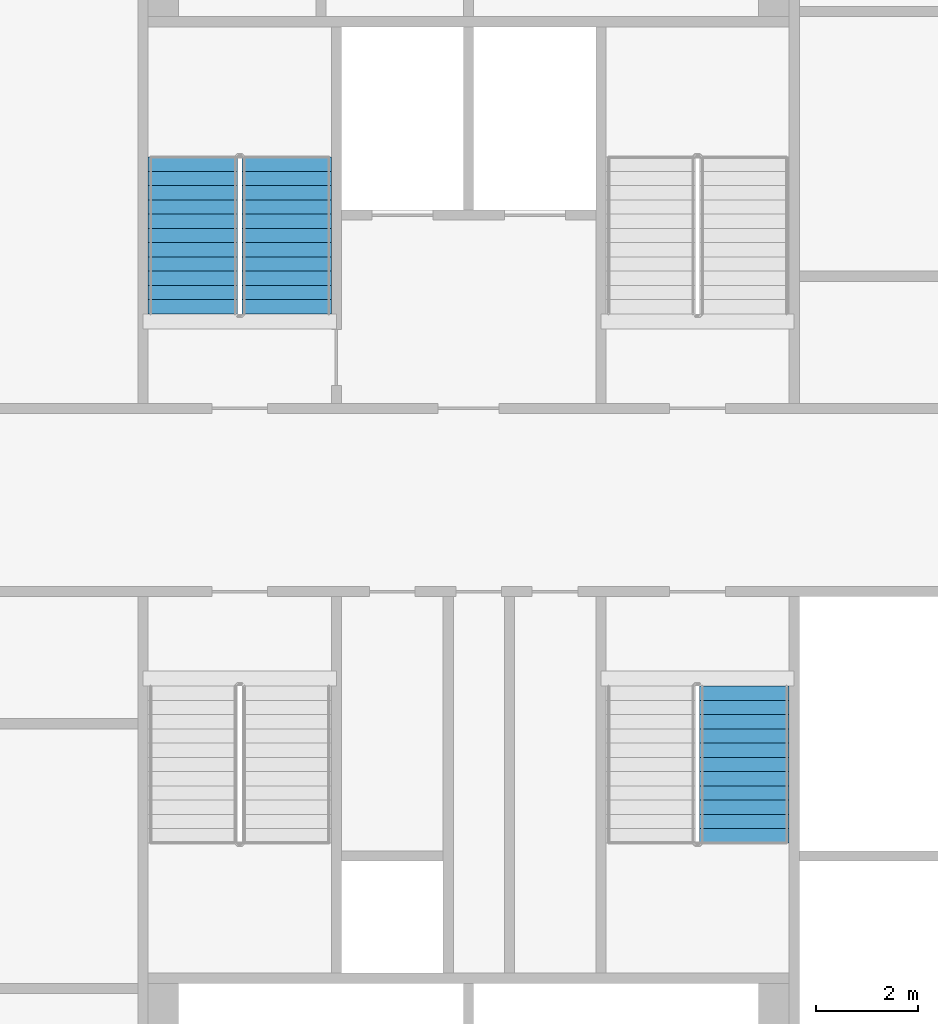
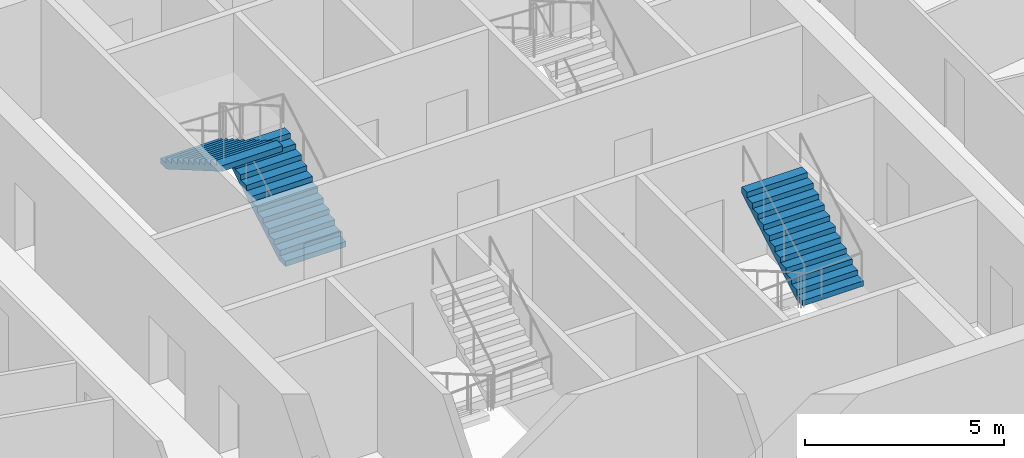
# One storey, part 9 of 15: 3 stair flights, 2 elements without a shape of their own.
"""IFC4 building model written with IfcOpenShell, lengths in metres."""

from ifc_helpers import new_model, si_unit, direction, frame, origin, place, context, subcontext, project, spatial, faceted_brep, material, type_object, element, aggregate, save


model = new_model("IFC4")

# Units and contexts
model_context = context("Model", 3, precision=1e-05, world=origin(), true_north=direction((0.0, 1.0)))
body_context = subcontext(model_context, "Body", "Model", "MODEL_VIEW")
ifc_project = project(units=[si_unit("LENGTHUNIT", "METRE"), si_unit("AREAUNIT", "SQUARE_METRE"), si_unit("VOLUMEUNIT", "CUBIC_METRE"), si_unit("PLANEANGLEUNIT", "RADIAN"), si_unit("MASSUNIT", "GRAM", prefix="KILO")], contexts=[model_context])

# Site, building, storey
site_placement = place(None, origin())
site = spatial("IfcSite", under=ifc_project, at=site_placement, CompositionType="ELEMENT")
building_placement = place(site_placement, origin())
building = spatial("IfcBuilding", under=site, at=building_placement, Name="Tarsis Ring Headquarters", CompositionType="ELEMENT")
storey_placement = place(building_placement, frame((0.0, 0.0, 227.699951171875)))
storey = spatial("IfcBuildingStorey", under=building, at=storey_placement, Name="L53", CompositionType="ELEMENT", Elevation=227.699951171875)

# Stair, stair flights
ifc_material_1 = material(Name="Core stair 1760")
stair_type = type_object("IfcStairType", Name="Core stair 1760", PredefinedType="HALF_TURN_STAIR", material=ifc_material_1)
stair_1_placement = place(storey_placement, origin())
stair_1 = element("IfcStair", 1, at=stair_1_placement, inside=storey, type_object=stair_type, Name="L53 Firefighting stair", PredefinedType="HALF_TURN_STAIR")
ifc_material_2 = material(Name="Concrete C40/50", Category="concrete")
stair_flight_type = type_object("IfcStairFlightType", Name="Core stair flight 1760", PredefinedType="STRAIGHT", material=ifc_material_2)
stair_flight_1_placement = place(storey_placement, frame((-3.580078125, 3.659912109375, 0.0), z_axis=(0.0, 0.0, 1.0), x_axis=(0.0, 1.0, 0.0)))
stair_flight_1 = element("IfcStairFlight", 2, at=stair_flight_1_placement, type_object=stair_flight_type, Name="Stair ST1 flight 1", NumberOfRisers=12, NumberOfTreads=11, PredefinedType="STRAIGHT", RiserHeight=0.1625, TreadLength=0.28, context=body_context, shape_type="Brep", body=[
    faceted_brep([(0.0, 0.8798828125, 0.0), (0.0, 0.8798828125, 0.16259765625), (0.280029296875, 0.8798828125, 0.16259765625), (0.280029296875, 0.8798828125, 0.324951171875), (0.56005859375, 0.8798828125, 0.324951171875), (0.56005859375, 0.8798828125, 0.487548828125), (0.840087890625, 0.8798828125, 0.487548828125), (0.840087890625, 0.8798828125, 0.64990234375), (1.1201171875, 0.8798828125, 0.64990234375), (1.1201171875, 0.8798828125, 0.8125), (1.39990234375, 0.8798828125, 0.8125), (1.39990234375, 0.8798828125, 0.97509765625), (1.679931640625, 0.8798828125, 0.97509765625), (1.679931640625, 0.8798828125, 1.137451171875), (1.9599609375, 0.8798828125, 1.137451171875), (1.9599609375, 0.8798828125, 1.300048828125), (2.239990234375, 0.8798828125, 1.300048828125), (2.239990234375, 0.8798828125, 1.46240234375), (2.52001953125, 0.8798828125, 1.46240234375), (2.52001953125, 0.8798828125, 1.625), (2.800048828125, 0.8798828125, 1.625), (2.800048828125, 0.8798828125, 1.78759765625), (3.080078125, 0.8798828125, 1.78759765625), (3.080078125, 0.8798828125, 1.6142578125), (0.298583984375, 0.8798828125, 0.0), (0.298583984375, -0.8798828125, 0.0), (3.080078125, -0.8798828125, 1.6142578125), (3.080078125, -0.8798828125, 1.78759765625), (2.800048828125, -0.8798828125, 1.78759765625), (2.800048828125, -0.8798828125, 1.625), (2.52001953125, -0.8798828125, 1.625), (2.52001953125, -0.8798828125, 1.46240234375), (2.239990234375, -0.8798828125, 1.46240234375), (2.239990234375, -0.8798828125, 1.300048828125), (1.9599609375, -0.8798828125, 1.300048828125), (1.9599609375, -0.8798828125, 1.137451171875), (1.679931640625, -0.8798828125, 1.137451171875), (1.679931640625, -0.8798828125, 0.97509765625), (1.39990234375, -0.8798828125, 0.97509765625), (1.39990234375, -0.8798828125, 0.8125), (1.1201171875, -0.8798828125, 0.8125), (1.1201171875, -0.8798828125, 0.64990234375), (0.840087890625, -0.8798828125, 0.64990234375), (0.840087890625, -0.8798828125, 0.487548828125), (0.56005859375, -0.8798828125, 0.487548828125), (0.56005859375, -0.8798828125, 0.324951171875), (0.280029296875, -0.8798828125, 0.324951171875), (0.280029296875, -0.8798828125, 0.16259765625), (0.0, -0.8798828125, 0.16259765625), (0.0, -0.8798828125, 0.0), (0.0, -0.43994140625, 0.16259765625), (0.0, -0.43994140625, 0.0), (0.0, 0.0, 0.16259765625), (0.0, 0.0, 0.0), (0.0, 0.43994140625, 0.16259765625), (0.0, 0.43994140625, 0.0), (0.280029296875, -0.43994140625, 0.16259765625), (0.280029296875, 0.0, 0.16259765625), (0.280029296875, 0.43994140625, 0.16259765625), (0.280029296875, -0.43994140625, 0.324951171875), (0.280029296875, 0.0, 0.324951171875), (0.280029296875, 0.43994140625, 0.324951171875), (0.56005859375, -0.43994140625, 0.324951171875), (0.56005859375, 0.0, 0.324951171875), (0.56005859375, 0.43994140625, 0.324951171875), (0.56005859375, -0.43994140625, 0.487548828125), (0.56005859375, 0.0, 0.487548828125), (0.56005859375, 0.43994140625, 0.487548828125), (0.840087890625, -0.43994140625, 0.487548828125), (0.840087890625, 0.0, 0.487548828125), (0.840087890625, 0.43994140625, 0.487548828125), (0.840087890625, -0.43994140625, 0.64990234375), (0.840087890625, 0.0, 0.64990234375), (0.840087890625, 0.43994140625, 0.64990234375), (1.1201171875, -0.43994140625, 0.64990234375), (1.1201171875, 0.0, 0.64990234375), (1.1201171875, 0.43994140625, 0.64990234375), (1.1201171875, -0.43994140625, 0.8125), (1.1201171875, 0.0, 0.8125), (1.1201171875, 0.43994140625, 0.8125), (1.39990234375, -0.43994140625, 0.8125), (1.39990234375, 0.0, 0.8125), (1.39990234375, 0.43994140625, 0.8125), (1.39990234375, -0.43994140625, 0.97509765625), (1.39990234375, 0.0, 0.97509765625), (1.39990234375, 0.43994140625, 0.97509765625), (1.679931640625, -0.43994140625, 0.97509765625), (1.679931640625, 0.0, 0.97509765625), (1.679931640625, 0.43994140625, 0.97509765625), (1.679931640625, -0.43994140625, 1.137451171875), (1.679931640625, 0.0, 1.137451171875), (1.679931640625, 0.43994140625, 1.137451171875), (1.9599609375, -0.43994140625, 1.137451171875), (1.9599609375, 0.0, 1.137451171875), (1.9599609375, 0.43994140625, 1.137451171875), (1.9599609375, -0.43994140625, 1.300048828125), (1.9599609375, 0.0, 1.300048828125), (1.9599609375, 0.43994140625, 1.300048828125), (2.239990234375, -0.43994140625, 1.300048828125), (2.239990234375, 0.0, 1.300048828125), (2.239990234375, 0.43994140625, 1.300048828125), (2.239990234375, -0.43994140625, 1.46240234375), (2.239990234375, 0.0, 1.46240234375), (2.239990234375, 0.43994140625, 1.46240234375), (2.52001953125, -0.43994140625, 1.46240234375), (2.52001953125, 0.0, 1.46240234375), (2.52001953125, 0.43994140625, 1.46240234375), (2.52001953125, -0.43994140625, 1.625), (2.52001953125, 0.0, 1.625), (2.52001953125, 0.43994140625, 1.625), (2.800048828125, -0.43994140625, 1.625), (2.800048828125, 0.0, 1.625), (2.800048828125, 0.43994140625, 1.625), (2.800048828125, -0.43994140625, 1.78759765625), (2.800048828125, 0.0, 1.78759765625), (2.800048828125, 0.43994140625, 1.78759765625), (3.080078125, -0.43994140625, 1.78759765625), (3.080078125, 0.0, 1.78759765625), (3.080078125, 0.43994140625, 1.78759765625), (3.080078125, -0.43994140625, 1.6142578125), (3.080078125, 0.0, 1.6142578125), (3.080078125, 0.43994140625, 1.6142578125), (0.298583984375, -0.43994140625, 0.0), (0.298583984375, 0.0, 0.0), (0.298583984375, 0.43994140625, 0.0)], [[[0, 1, 2, 3, 4, 5, 6, 7, 8, 9, 10, 11, 12, 13, 14, 15, 16, 17, 18, 19, 20, 21, 22, 23, 24]], [[25, 26, 27, 28, 29, 30, 31, 32, 33, 34, 35, 36, 37, 38, 39, 40, 41, 42, 43, 44, 45, 46, 47, 48, 49]], [[49, 48, 50, 51]], [[51, 50, 52, 53]], [[53, 52, 54, 55]], [[55, 54, 1, 0]], [[48, 47, 56, 50]], [[50, 56, 57, 52]], [[52, 57, 58, 54]], [[54, 58, 2, 1]], [[47, 46, 59, 56]], [[56, 59, 60, 57]], [[57, 60, 61, 58]], [[58, 61, 3, 2]], [[46, 45, 62, 59]], [[59, 62, 63, 60]], [[60, 63, 64, 61]], [[61, 64, 4, 3]], [[45, 44, 65, 62]], [[62, 65, 66, 63]], [[63, 66, 67, 64]], [[64, 67, 5, 4]], [[44, 43, 68, 65]], [[65, 68, 69, 66]], [[66, 69, 70, 67]], [[67, 70, 6, 5]], [[43, 42, 71, 68]], [[68, 71, 72, 69]], [[69, 72, 73, 70]], [[70, 73, 7, 6]], [[42, 41, 74, 71]], [[71, 74, 75, 72]], [[72, 75, 76, 73]], [[73, 76, 8, 7]], [[41, 40, 77, 74]], [[74, 77, 78, 75]], [[75, 78, 79, 76]], [[76, 79, 9, 8]], [[40, 39, 80, 77]], [[77, 80, 81, 78]], [[78, 81, 82, 79]], [[79, 82, 10, 9]], [[39, 38, 83, 80]], [[80, 83, 84, 81]], [[81, 84, 85, 82]], [[82, 85, 11, 10]], [[38, 37, 86, 83]], [[83, 86, 87, 84]], [[84, 87, 88, 85]], [[85, 88, 12, 11]], [[37, 36, 89, 86]], [[86, 89, 90, 87]], [[87, 90, 91, 88]], [[88, 91, 13, 12]], [[36, 35, 92, 89]], [[89, 92, 93, 90]], [[90, 93, 94, 91]], [[91, 94, 14, 13]], [[35, 34, 95, 92]], [[92, 95, 96, 93]], [[93, 96, 97, 94]], [[94, 97, 15, 14]], [[34, 33, 98, 95]], [[95, 98, 99, 96]], [[96, 99, 100, 97]], [[97, 100, 16, 15]], [[33, 32, 101, 98]], [[98, 101, 102, 99]], [[99, 102, 103, 100]], [[100, 103, 17, 16]], [[32, 31, 104, 101]], [[101, 104, 105, 102]], [[102, 105, 106, 103]], [[103, 106, 18, 17]], [[31, 30, 107, 104]], [[104, 107, 108, 105]], [[105, 108, 109, 106]], [[106, 109, 19, 18]], [[30, 29, 110, 107]], [[107, 110, 111, 108]], [[108, 111, 112, 109]], [[109, 112, 20, 19]], [[29, 28, 113, 110]], [[110, 113, 114, 111]], [[111, 114, 115, 112]], [[112, 115, 21, 20]], [[28, 27, 116, 113]], [[113, 116, 117, 114]], [[114, 117, 118, 115]], [[115, 118, 22, 21]], [[27, 26, 119, 116]], [[116, 119, 120, 117]], [[117, 120, 121, 118]], [[118, 121, 23, 22]], [[26, 25, 122, 119]], [[119, 122, 123, 120]], [[120, 123, 124, 121]], [[121, 124, 24, 23]], [[25, 49, 51, 122]], [[122, 51, 53, 123]], [[123, 53, 55, 124]], [[124, 55, 0, 24]]]),
])
stair_flight_2_placement = place(storey_placement, frame((-5.419921875, 6.739990234375, 1.949951171875), z_axis=(0.0, 0.0, 1.0), x_axis=(0.0, -1.0, 0.0)))
stair_flight_2 = element("IfcStairFlight", 3, at=stair_flight_2_placement, type_object=stair_flight_type, Name="Stair ST1 flight 2", NumberOfRisers=12, NumberOfTreads=11, PredefinedType="STRAIGHT", RiserHeight=0.1625, TreadLength=0.28, context=body_context, shape_type="Brep", body=[
    faceted_brep([(0.0, 0.8798828125, 0.0), (0.0, 0.8798828125, 0.16259765625), (0.280029296875, 0.8798828125, 0.16259765625), (0.280029296875, 0.8798828125, 0.324951171875), (0.56005859375, 0.8798828125, 0.324951171875), (0.56005859375, 0.8798828125, 0.487548828125), (0.840087890625, 0.8798828125, 0.487548828125), (0.840087890625, 0.8798828125, 0.64990234375), (1.1201171875, 0.8798828125, 0.64990234375), (1.1201171875, 0.8798828125, 0.8125), (1.39990234375, 0.8798828125, 0.8125), (1.39990234375, 0.8798828125, 0.97509765625), (1.679931640625, 0.8798828125, 0.97509765625), (1.679931640625, 0.8798828125, 1.137451171875), (1.9599609375, 0.8798828125, 1.137451171875), (1.9599609375, 0.8798828125, 1.300048828125), (2.239990234375, 0.8798828125, 1.300048828125), (2.239990234375, 0.8798828125, 1.46240234375), (2.52001953125, 0.8798828125, 1.46240234375), (2.52001953125, 0.8798828125, 1.625), (2.800048828125, 0.8798828125, 1.625), (2.800048828125, 0.8798828125, 1.78759765625), (3.080078125, 0.8798828125, 1.78759765625), (3.080078125, 0.8798828125, 1.6142578125), (0.298583984375, 0.8798828125, 0.0), (0.298583984375, -0.8798828125, 0.0), (3.080078125, -0.8798828125, 1.6142578125), (3.080078125, -0.8798828125, 1.78759765625), (2.800048828125, -0.8798828125, 1.78759765625), (2.800048828125, -0.8798828125, 1.625), (2.52001953125, -0.8798828125, 1.625), (2.52001953125, -0.8798828125, 1.46240234375), (2.239990234375, -0.8798828125, 1.46240234375), (2.239990234375, -0.8798828125, 1.300048828125), (1.9599609375, -0.8798828125, 1.300048828125), (1.9599609375, -0.8798828125, 1.137451171875), (1.679931640625, -0.8798828125, 1.137451171875), (1.679931640625, -0.8798828125, 0.97509765625), (1.39990234375, -0.8798828125, 0.97509765625), (1.39990234375, -0.8798828125, 0.8125), (1.1201171875, -0.8798828125, 0.8125), (1.1201171875, -0.8798828125, 0.64990234375), (0.840087890625, -0.8798828125, 0.64990234375), (0.840087890625, -0.8798828125, 0.487548828125), (0.56005859375, -0.8798828125, 0.487548828125), (0.56005859375, -0.8798828125, 0.324951171875), (0.280029296875, -0.8798828125, 0.324951171875), (0.280029296875, -0.8798828125, 0.16259765625), (0.0, -0.8798828125, 0.16259765625), (0.0, -0.8798828125, 0.0), (0.0, -0.43994140625, 0.16259765625), (0.0, -0.43994140625, 0.0), (0.0, 0.0, 0.16259765625), (0.0, 0.0, 0.0), (0.0, 0.43994140625, 0.16259765625), (0.0, 0.43994140625, 0.0), (0.280029296875, -0.43994140625, 0.16259765625), (0.280029296875, 0.0, 0.16259765625), (0.280029296875, 0.43994140625, 0.16259765625), (0.280029296875, -0.43994140625, 0.324951171875), (0.280029296875, 0.0, 0.324951171875), (0.280029296875, 0.43994140625, 0.324951171875), (0.56005859375, -0.43994140625, 0.324951171875), (0.56005859375, 0.0, 0.324951171875), (0.56005859375, 0.43994140625, 0.324951171875), (0.56005859375, -0.43994140625, 0.487548828125), (0.56005859375, 0.0, 0.487548828125), (0.56005859375, 0.43994140625, 0.487548828125), (0.840087890625, -0.43994140625, 0.487548828125), (0.840087890625, 0.0, 0.487548828125), (0.840087890625, 0.43994140625, 0.487548828125), (0.840087890625, -0.43994140625, 0.64990234375), (0.840087890625, 0.0, 0.64990234375), (0.840087890625, 0.43994140625, 0.64990234375), (1.1201171875, -0.43994140625, 0.64990234375), (1.1201171875, 0.0, 0.64990234375), (1.1201171875, 0.43994140625, 0.64990234375), (1.1201171875, -0.43994140625, 0.8125), (1.1201171875, 0.0, 0.8125), (1.1201171875, 0.43994140625, 0.8125), (1.39990234375, -0.43994140625, 0.8125), (1.39990234375, 0.0, 0.8125), (1.39990234375, 0.43994140625, 0.8125), (1.39990234375, -0.43994140625, 0.97509765625), (1.39990234375, 0.0, 0.97509765625), (1.39990234375, 0.43994140625, 0.97509765625), (1.679931640625, -0.43994140625, 0.97509765625), (1.679931640625, 0.0, 0.97509765625), (1.679931640625, 0.43994140625, 0.97509765625), (1.679931640625, -0.43994140625, 1.137451171875), (1.679931640625, 0.0, 1.137451171875), (1.679931640625, 0.43994140625, 1.137451171875), (1.9599609375, -0.43994140625, 1.137451171875), (1.9599609375, 0.0, 1.137451171875), (1.9599609375, 0.43994140625, 1.137451171875), (1.9599609375, -0.43994140625, 1.300048828125), (1.9599609375, 0.0, 1.300048828125), (1.9599609375, 0.43994140625, 1.300048828125), (2.239990234375, -0.43994140625, 1.300048828125), (2.239990234375, 0.0, 1.300048828125), (2.239990234375, 0.43994140625, 1.300048828125), (2.239990234375, -0.43994140625, 1.46240234375), (2.239990234375, 0.0, 1.46240234375), (2.239990234375, 0.43994140625, 1.46240234375), (2.52001953125, -0.43994140625, 1.46240234375), (2.52001953125, 0.0, 1.46240234375), (2.52001953125, 0.43994140625, 1.46240234375), (2.52001953125, -0.43994140625, 1.625), (2.52001953125, 0.0, 1.625), (2.52001953125, 0.43994140625, 1.625), (2.800048828125, -0.43994140625, 1.625), (2.800048828125, 0.0, 1.625), (2.800048828125, 0.43994140625, 1.625), (2.800048828125, -0.43994140625, 1.78759765625), (2.800048828125, 0.0, 1.78759765625), (2.800048828125, 0.43994140625, 1.78759765625), (3.080078125, -0.43994140625, 1.78759765625), (3.080078125, 0.0, 1.78759765625), (3.080078125, 0.43994140625, 1.78759765625), (3.080078125, -0.43994140625, 1.6142578125), (3.080078125, 0.0, 1.6142578125), (3.080078125, 0.43994140625, 1.6142578125), (0.298583984375, -0.43994140625, 0.0), (0.298583984375, 0.0, 0.0), (0.298583984375, 0.43994140625, 0.0)], [[[0, 1, 2, 3, 4, 5, 6, 7, 8, 9, 10, 11, 12, 13, 14, 15, 16, 17, 18, 19, 20, 21, 22, 23, 24]], [[25, 26, 27, 28, 29, 30, 31, 32, 33, 34, 35, 36, 37, 38, 39, 40, 41, 42, 43, 44, 45, 46, 47, 48, 49]], [[49, 48, 50, 51]], [[51, 50, 52, 53]], [[53, 52, 54, 55]], [[55, 54, 1, 0]], [[48, 47, 56, 50]], [[50, 56, 57, 52]], [[52, 57, 58, 54]], [[54, 58, 2, 1]], [[47, 46, 59, 56]], [[56, 59, 60, 57]], [[57, 60, 61, 58]], [[58, 61, 3, 2]], [[46, 45, 62, 59]], [[59, 62, 63, 60]], [[60, 63, 64, 61]], [[61, 64, 4, 3]], [[45, 44, 65, 62]], [[62, 65, 66, 63]], [[63, 66, 67, 64]], [[64, 67, 5, 4]], [[44, 43, 68, 65]], [[65, 68, 69, 66]], [[66, 69, 70, 67]], [[67, 70, 6, 5]], [[43, 42, 71, 68]], [[68, 71, 72, 69]], [[69, 72, 73, 70]], [[70, 73, 7, 6]], [[42, 41, 74, 71]], [[71, 74, 75, 72]], [[72, 75, 76, 73]], [[73, 76, 8, 7]], [[41, 40, 77, 74]], [[74, 77, 78, 75]], [[75, 78, 79, 76]], [[76, 79, 9, 8]], [[40, 39, 80, 77]], [[77, 80, 81, 78]], [[78, 81, 82, 79]], [[79, 82, 10, 9]], [[39, 38, 83, 80]], [[80, 83, 84, 81]], [[81, 84, 85, 82]], [[82, 85, 11, 10]], [[38, 37, 86, 83]], [[83, 86, 87, 84]], [[84, 87, 88, 85]], [[85, 88, 12, 11]], [[37, 36, 89, 86]], [[86, 89, 90, 87]], [[87, 90, 91, 88]], [[88, 91, 13, 12]], [[36, 35, 92, 89]], [[89, 92, 93, 90]], [[90, 93, 94, 91]], [[91, 94, 14, 13]], [[35, 34, 95, 92]], [[92, 95, 96, 93]], [[93, 96, 97, 94]], [[94, 97, 15, 14]], [[34, 33, 98, 95]], [[95, 98, 99, 96]], [[96, 99, 100, 97]], [[97, 100, 16, 15]], [[33, 32, 101, 98]], [[98, 101, 102, 99]], [[99, 102, 103, 100]], [[100, 103, 17, 16]], [[32, 31, 104, 101]], [[101, 104, 105, 102]], [[102, 105, 106, 103]], [[103, 106, 18, 17]], [[31, 30, 107, 104]], [[104, 107, 108, 105]], [[105, 108, 109, 106]], [[106, 109, 19, 18]], [[30, 29, 110, 107]], [[107, 110, 111, 108]], [[108, 111, 112, 109]], [[109, 112, 20, 19]], [[29, 28, 113, 110]], [[110, 113, 114, 111]], [[111, 114, 115, 112]], [[112, 115, 21, 20]], [[28, 27, 116, 113]], [[113, 116, 117, 114]], [[114, 117, 118, 115]], [[115, 118, 22, 21]], [[27, 26, 119, 116]], [[116, 119, 120, 117]], [[117, 120, 121, 118]], [[118, 121, 23, 22]], [[26, 25, 122, 119]], [[119, 122, 123, 120]], [[120, 123, 124, 121]], [[121, 124, 24, 23]], [[25, 49, 51, 122]], [[122, 51, 53, 123]], [[123, 53, 55, 124]], [[124, 55, 0, 24]]]),
])
aggregate(stair_1, [stair_flight_1, stair_flight_2])

# Stair, stair flight
stair_2_placement = place(storey_placement, origin())
stair_2 = element("IfcStair", 4, at=stair_2_placement, inside=storey, type_object=stair_type, Name="L53 Exit stair D", PredefinedType="HALF_TURN_STAIR")
stair_flight_3_placement = place(storey_placement, frame((5.419921875, -6.739990234375, 1.949951171875), z_axis=(0.0, 0.0, 1.0), x_axis=(0.0, 1.0, 0.0)))
stair_flight_3 = element("IfcStairFlight", 5, at=stair_flight_3_placement, type_object=stair_flight_type, Name="Stair ST4 flight 2", NumberOfRisers=12, NumberOfTreads=11, PredefinedType="STRAIGHT", RiserHeight=0.1625, TreadLength=0.28, context=body_context, shape_type="Brep", body=[
    faceted_brep([(0.0, 0.8798828125, 0.0), (0.0, 0.8798828125, 0.16259765625), (0.280029296875, 0.8798828125, 0.16259765625), (0.280029296875, 0.8798828125, 0.324951171875), (0.56005859375, 0.8798828125, 0.324951171875), (0.56005859375, 0.8798828125, 0.487548828125), (0.840087890625, 0.8798828125, 0.487548828125), (0.840087890625, 0.8798828125, 0.64990234375), (1.1201171875, 0.8798828125, 0.64990234375), (1.1201171875, 0.8798828125, 0.8125), (1.39990234375, 0.8798828125, 0.8125), (1.39990234375, 0.8798828125, 0.97509765625), (1.679931640625, 0.8798828125, 0.97509765625), (1.679931640625, 0.8798828125, 1.137451171875), (1.9599609375, 0.8798828125, 1.137451171875), (1.9599609375, 0.8798828125, 1.300048828125), (2.239990234375, 0.8798828125, 1.300048828125), (2.239990234375, 0.8798828125, 1.46240234375), (2.52001953125, 0.8798828125, 1.46240234375), (2.52001953125, 0.8798828125, 1.625), (2.800048828125, 0.8798828125, 1.625), (2.800048828125, 0.8798828125, 1.78759765625), (3.080078125, 0.8798828125, 1.78759765625), (3.080078125, 0.8798828125, 1.6142578125), (0.298583984375, 0.8798828125, 0.0), (0.298583984375, -0.8798828125, 0.0), (3.080078125, -0.8798828125, 1.6142578125), (3.080078125, -0.8798828125, 1.78759765625), (2.800048828125, -0.8798828125, 1.78759765625), (2.800048828125, -0.8798828125, 1.625), (2.52001953125, -0.8798828125, 1.625), (2.52001953125, -0.8798828125, 1.46240234375), (2.239990234375, -0.8798828125, 1.46240234375), (2.239990234375, -0.8798828125, 1.300048828125), (1.9599609375, -0.8798828125, 1.300048828125), (1.9599609375, -0.8798828125, 1.137451171875), (1.679931640625, -0.8798828125, 1.137451171875), (1.679931640625, -0.8798828125, 0.97509765625), (1.39990234375, -0.8798828125, 0.97509765625), (1.39990234375, -0.8798828125, 0.8125), (1.1201171875, -0.8798828125, 0.8125), (1.1201171875, -0.8798828125, 0.64990234375), (0.840087890625, -0.8798828125, 0.64990234375), (0.840087890625, -0.8798828125, 0.487548828125), (0.56005859375, -0.8798828125, 0.487548828125), (0.56005859375, -0.8798828125, 0.324951171875), (0.280029296875, -0.8798828125, 0.324951171875), (0.280029296875, -0.8798828125, 0.16259765625), (0.0, -0.8798828125, 0.16259765625), (0.0, -0.8798828125, 0.0), (0.0, -0.43994140625, 0.16259765625), (0.0, -0.43994140625, 0.0), (0.0, 0.0, 0.16259765625), (0.0, 0.0, 0.0), (0.0, 0.43994140625, 0.16259765625), (0.0, 0.43994140625, 0.0), (0.280029296875, -0.43994140625, 0.16259765625), (0.280029296875, 0.0, 0.16259765625), (0.280029296875, 0.43994140625, 0.16259765625), (0.280029296875, -0.43994140625, 0.324951171875), (0.280029296875, 0.0, 0.324951171875), (0.280029296875, 0.43994140625, 0.324951171875), (0.56005859375, -0.43994140625, 0.324951171875), (0.56005859375, 0.0, 0.324951171875), (0.56005859375, 0.43994140625, 0.324951171875), (0.56005859375, -0.43994140625, 0.487548828125), (0.56005859375, 0.0, 0.487548828125), (0.56005859375, 0.43994140625, 0.487548828125), (0.840087890625, -0.43994140625, 0.487548828125), (0.840087890625, 0.0, 0.487548828125), (0.840087890625, 0.43994140625, 0.487548828125), (0.840087890625, -0.43994140625, 0.64990234375), (0.840087890625, 0.0, 0.64990234375), (0.840087890625, 0.43994140625, 0.64990234375), (1.1201171875, -0.43994140625, 0.64990234375), (1.1201171875, 0.0, 0.64990234375), (1.1201171875, 0.43994140625, 0.64990234375), (1.1201171875, -0.43994140625, 0.8125), (1.1201171875, 0.0, 0.8125), (1.1201171875, 0.43994140625, 0.8125), (1.39990234375, -0.43994140625, 0.8125), (1.39990234375, 0.0, 0.8125), (1.39990234375, 0.43994140625, 0.8125), (1.39990234375, -0.43994140625, 0.97509765625), (1.39990234375, 0.0, 0.97509765625), (1.39990234375, 0.43994140625, 0.97509765625), (1.679931640625, -0.43994140625, 0.97509765625), (1.679931640625, 0.0, 0.97509765625), (1.679931640625, 0.43994140625, 0.97509765625), (1.679931640625, -0.43994140625, 1.137451171875), (1.679931640625, 0.0, 1.137451171875), (1.679931640625, 0.43994140625, 1.137451171875), (1.9599609375, -0.43994140625, 1.137451171875), (1.9599609375, 0.0, 1.137451171875), (1.9599609375, 0.43994140625, 1.137451171875), (1.9599609375, -0.43994140625, 1.300048828125), (1.9599609375, 0.0, 1.300048828125), (1.9599609375, 0.43994140625, 1.300048828125), (2.239990234375, -0.43994140625, 1.300048828125), (2.239990234375, 0.0, 1.300048828125), (2.239990234375, 0.43994140625, 1.300048828125), (2.239990234375, -0.43994140625, 1.46240234375), (2.239990234375, 0.0, 1.46240234375), (2.239990234375, 0.43994140625, 1.46240234375), (2.52001953125, -0.43994140625, 1.46240234375), (2.52001953125, 0.0, 1.46240234375), (2.52001953125, 0.43994140625, 1.46240234375), (2.52001953125, -0.43994140625, 1.625), (2.52001953125, 0.0, 1.625), (2.52001953125, 0.43994140625, 1.625), (2.800048828125, -0.43994140625, 1.625), (2.800048828125, 0.0, 1.625), (2.800048828125, 0.43994140625, 1.625), (2.800048828125, -0.43994140625, 1.78759765625), (2.800048828125, 0.0, 1.78759765625), (2.800048828125, 0.43994140625, 1.78759765625), (3.080078125, -0.43994140625, 1.78759765625), (3.080078125, 0.0, 1.78759765625), (3.080078125, 0.43994140625, 1.78759765625), (3.080078125, -0.43994140625, 1.6142578125), (3.080078125, 0.0, 1.6142578125), (3.080078125, 0.43994140625, 1.6142578125), (0.298583984375, -0.43994140625, 0.0), (0.298583984375, 0.0, 0.0), (0.298583984375, 0.43994140625, 0.0)], [[[0, 1, 2, 3, 4, 5, 6, 7, 8, 9, 10, 11, 12, 13, 14, 15, 16, 17, 18, 19, 20, 21, 22, 23, 24]], [[25, 26, 27, 28, 29, 30, 31, 32, 33, 34, 35, 36, 37, 38, 39, 40, 41, 42, 43, 44, 45, 46, 47, 48, 49]], [[49, 48, 50, 51]], [[51, 50, 52, 53]], [[53, 52, 54, 55]], [[55, 54, 1, 0]], [[48, 47, 56, 50]], [[50, 56, 57, 52]], [[52, 57, 58, 54]], [[54, 58, 2, 1]], [[47, 46, 59, 56]], [[56, 59, 60, 57]], [[57, 60, 61, 58]], [[58, 61, 3, 2]], [[46, 45, 62, 59]], [[59, 62, 63, 60]], [[60, 63, 64, 61]], [[61, 64, 4, 3]], [[45, 44, 65, 62]], [[62, 65, 66, 63]], [[63, 66, 67, 64]], [[64, 67, 5, 4]], [[44, 43, 68, 65]], [[65, 68, 69, 66]], [[66, 69, 70, 67]], [[67, 70, 6, 5]], [[43, 42, 71, 68]], [[68, 71, 72, 69]], [[69, 72, 73, 70]], [[70, 73, 7, 6]], [[42, 41, 74, 71]], [[71, 74, 75, 72]], [[72, 75, 76, 73]], [[73, 76, 8, 7]], [[41, 40, 77, 74]], [[74, 77, 78, 75]], [[75, 78, 79, 76]], [[76, 79, 9, 8]], [[40, 39, 80, 77]], [[77, 80, 81, 78]], [[78, 81, 82, 79]], [[79, 82, 10, 9]], [[39, 38, 83, 80]], [[80, 83, 84, 81]], [[81, 84, 85, 82]], [[82, 85, 11, 10]], [[38, 37, 86, 83]], [[83, 86, 87, 84]], [[84, 87, 88, 85]], [[85, 88, 12, 11]], [[37, 36, 89, 86]], [[86, 89, 90, 87]], [[87, 90, 91, 88]], [[88, 91, 13, 12]], [[36, 35, 92, 89]], [[89, 92, 93, 90]], [[90, 93, 94, 91]], [[91, 94, 14, 13]], [[35, 34, 95, 92]], [[92, 95, 96, 93]], [[93, 96, 97, 94]], [[94, 97, 15, 14]], [[34, 33, 98, 95]], [[95, 98, 99, 96]], [[96, 99, 100, 97]], [[97, 100, 16, 15]], [[33, 32, 101, 98]], [[98, 101, 102, 99]], [[99, 102, 103, 100]], [[100, 103, 17, 16]], [[32, 31, 104, 101]], [[101, 104, 105, 102]], [[102, 105, 106, 103]], [[103, 106, 18, 17]], [[31, 30, 107, 104]], [[104, 107, 108, 105]], [[105, 108, 109, 106]], [[106, 109, 19, 18]], [[30, 29, 110, 107]], [[107, 110, 111, 108]], [[108, 111, 112, 109]], [[109, 112, 20, 19]], [[29, 28, 113, 110]], [[110, 113, 114, 111]], [[111, 114, 115, 112]], [[112, 115, 21, 20]], [[28, 27, 116, 113]], [[113, 116, 117, 114]], [[114, 117, 118, 115]], [[115, 118, 22, 21]], [[27, 26, 119, 116]], [[116, 119, 120, 117]], [[117, 120, 121, 118]], [[118, 121, 23, 22]], [[26, 25, 122, 119]], [[119, 122, 123, 120]], [[120, 123, 124, 121]], [[121, 124, 24, 23]], [[25, 49, 51, 122]], [[122, 51, 53, 123]], [[123, 53, 55, 124]], [[124, 55, 0, 24]]]),
])
aggregate(stair_2, [stair_flight_3])

save(model, "model.ifc")
